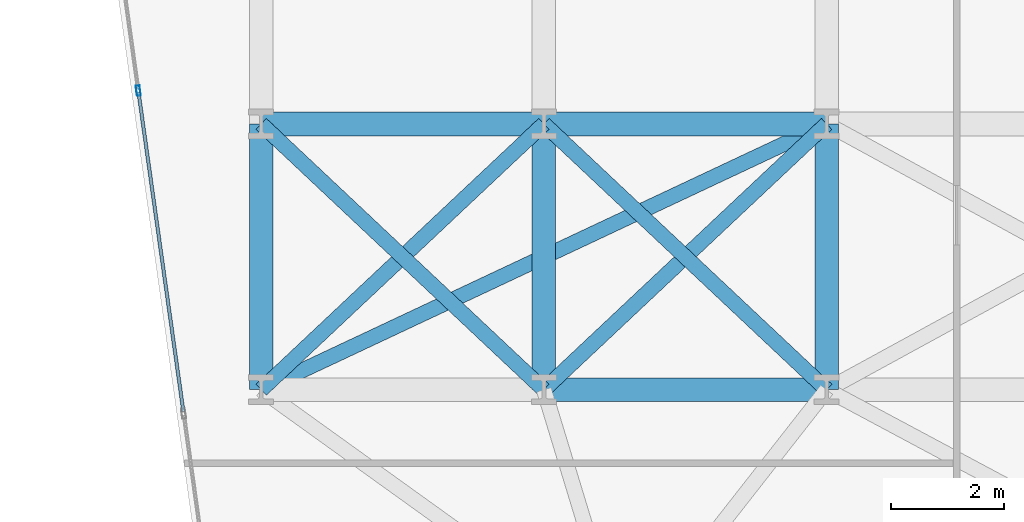
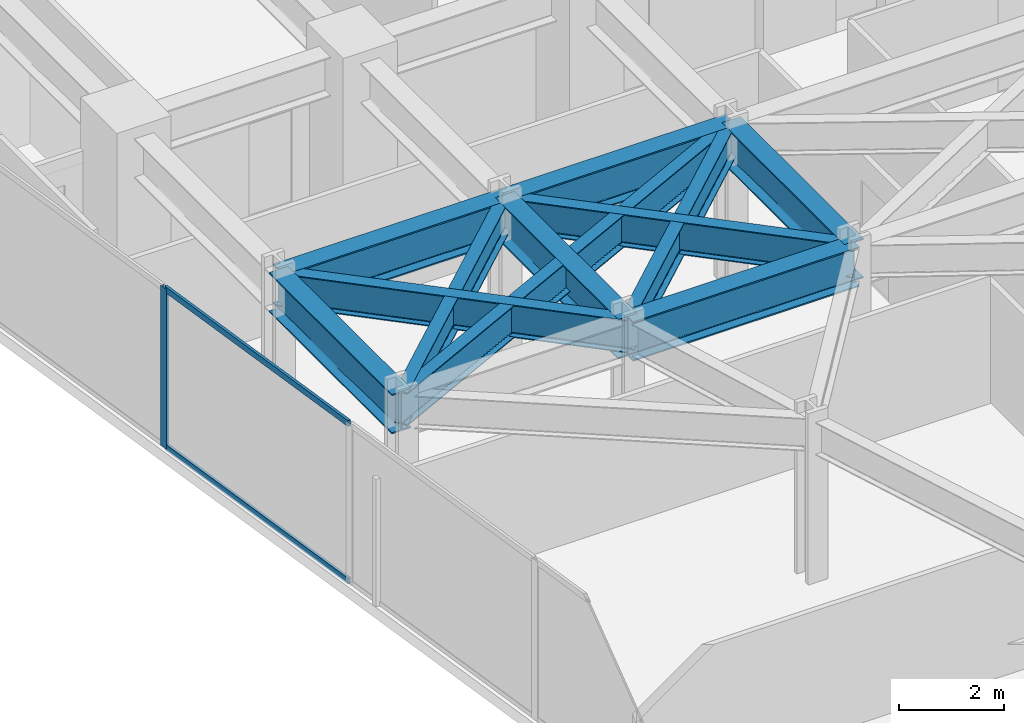
# One storey, part 8 of 24: 11 beams, 3 members, 1 element without a shape of its own.
"""IFC4 building model written with IfcOpenShell, lengths in metres."""

import ifcopenshell
import ifcopenshell.guid

model = None  # the IFC model being written
_history = None  # IfcOwnerHistory: only IFC2X3 demands one
_inside = {}  # id of a spatial element -> (the spatial element, [elements in it])
_under = {}  # id of a project, library or spatial element -> (it, [spatial elements below it])
_declared = {}  # id of a project -> (the project, [libraries it declares])
_typed = {}  # id of a type object -> (the type object, [elements of that type])
_made_of = {}  # id of a material, layer set ... -> (it, [elements and type objects made of it])


def new_model(schema):
    """Start an empty IFC model of exactly this schema.

    Asked for "IFC4X3", IfcOpenShell would pick the latest addendum, in which some entities
    have other attributes; the version numbers below select the first issue.
    IFC2X3 requires an IfcOwnerHistory on every rooted entity: one is made here for all.
    """
    global model, _history
    if schema == "IFC4X3":
        model = ifcopenshell.file(schema_version=(4, 3, 0, 0))
    else:
        model = ifcopenshell.file(schema=schema)
    _inside.clear()
    _under.clear()
    _declared.clear()
    _typed.clear()
    _made_of.clear()
    _history = None
    if model.schema == "IFC2X3":
        org = make("IfcOrganization", Name="unknown")
        user = make(
            "IfcPersonAndOrganization",
            ThePerson=make("IfcPerson", FamilyName="unknown"),
            TheOrganization=org,
        )
        app = make(
            "IfcApplication",
            ApplicationDeveloper=org,
            Version="unknown",
            ApplicationFullName="unknown",
            ApplicationIdentifier="unknown",
        )
        _history = make(
            "IfcOwnerHistory",
            OwningUser=user,
            OwningApplication=app,
            ChangeAction="ADDED",
            CreationDate=0,
        )
    return model


def make(cls, **values):
    """One entity of the class cls with the attributes given. An attribute that is None is left unset."""
    return model.create_entity(
        cls, **{name: value for name, value in values.items() if value is not None}
    )


def rooted(cls, **values):
    """An entity with a GlobalId (a new one), such as an element, a storey or a relation."""
    return make(cls, GlobalId=ifcopenshell.guid.new(), OwnerHistory=_history, **values)


def si_unit(unit_type, name, prefix=None):
    """IfcSIUnit, for example si_unit("LENGTHUNIT", "METRE", prefix="MILLI")."""
    return make("IfcSIUnit", UnitType=unit_type, Prefix=prefix, Name=name)


def assignment(units):
    """IfcUnitAssignment: the units of a project."""
    return None if units is None else make("IfcUnitAssignment", Units=units)


def point(xyz):
    """IfcCartesianPoint."""
    return None if xyz is None else make("IfcCartesianPoint", Coordinates=xyz)


def direction(xyz):
    """IfcDirection."""
    return None if xyz is None else make("IfcDirection", DirectionRatios=xyz)


def frame(location, z_axis=None, x_axis=None):
    """IfcAxis2Placement3D, a coordinate frame: its origin and axes. An axis left out is left unset."""
    return make(
        "IfcAxis2Placement3D",
        Location=point(location),
        Axis=direction(z_axis),
        RefDirection=direction(x_axis),
    )


def frame_2d(location, x_axis=None):
    """IfcAxis2Placement2D, a coordinate frame in the plane: its origin and x axis."""
    return make(
        "IfcAxis2Placement2D", Location=point(location), RefDirection=direction(x_axis)
    )


def origin():
    """The frame at (0, 0, 0) with its axes left unset."""
    return frame((0.0, 0.0, 0.0))


def origin_2d():
    """The frame at (0, 0) in the plane with its x axis left unset."""
    return frame_2d((0.0, 0.0))


def place(relative_to, where):
    """IfcLocalPlacement: puts the frame where relative to a parent placement (None: the world)."""
    return make(
        "IfcLocalPlacement", PlacementRelTo=relative_to, RelativePlacement=where
    )


def context(
    kind, dimensions, precision=None, world=None, true_north=None, identifier=None
):
    """IfcGeometricRepresentationContext, for example the 3D "Model" context."""
    return make(
        "IfcGeometricRepresentationContext",
        ContextIdentifier=identifier,
        ContextType=kind,
        CoordinateSpaceDimension=dimensions,
        Precision=precision,
        WorldCoordinateSystem=world,
        TrueNorth=true_north,
    )


def subcontext(parent, identifier, kind, view, scale=None):
    """IfcGeometricRepresentationSubContext, for example "Body" below "Model"."""
    return make(
        "IfcGeometricRepresentationSubContext",
        ContextIdentifier=identifier,
        ContextType=kind,
        ParentContext=parent,
        TargetScale=scale,
        TargetView=view,
    )


def project(units=None, contexts=None):
    """IfcProject with its units and contexts."""
    return rooted(
        "IfcProject",
        Name="project",
        RepresentationContexts=contexts,
        UnitsInContext=assignment(units),
    )


def spatial(cls, under=None, at=None, **own):
    """A site, building, storey or space (cls), placed at a placement, below another one or the project."""
    s = rooted(cls, ObjectPlacement=at, **own)
    if under is not None:
        _under.setdefault(under.id(), (under, []))[1].append(s)
    return s


def profile(cls, at=None, kind="AREA", **sizes):
    """A parametric profile (cls). Its sizes go by their IFC names, for example OverallWidth=200.0."""
    return make(cls, ProfileType=kind, Position=at, **sizes)


def hollow_rectangle(**sizes):
    """IfcRectangleHollowProfileDef."""
    return profile("IfcRectangleHollowProfileDef", **sizes)


def i_section(**sizes):
    """IfcIShapeProfileDef."""
    return profile("IfcIShapeProfileDef", **sizes)


def extrude(swept, where, along, depth):
    """IfcExtrudedAreaSolid: the profile swept, set in the frame where, extruded along a direction by depth."""
    return make(
        "IfcExtrudedAreaSolid",
        SweptArea=swept,
        Position=where,
        ExtrudedDirection=direction(along),
        Depth=depth,
    )


def shape(context_of_items, identifier, shape_type, items):
    """IfcShapeRepresentation: the items that make up one representation, for example the "Body"."""
    return make(
        "IfcShapeRepresentation",
        ContextOfItems=context_of_items,
        RepresentationIdentifier=identifier,
        RepresentationType=shape_type,
        Items=items,
    )


def material(Name=None, Category=None):
    """IfcMaterial."""
    return make("IfcMaterial", Name=Name, Category=Category)


def layer(
    of_material, thickness, ventilated=None, Name=None, Category=None, Priority=None
):
    """IfcMaterialLayer: one layer of a wall or slab, of a material (None: an air gap)."""
    return make(
        "IfcMaterialLayer",
        Material=of_material,
        LayerThickness=thickness,
        IsVentilated=ventilated,
        Name=Name,
        Category=Category,
        Priority=Priority,
    )


def layer_set(layers, Name=None):
    """IfcMaterialLayerSet."""
    return make("IfcMaterialLayerSet", MaterialLayers=layers, LayerSetName=Name)


def material_profile(
    of_material, cross_section, Name=None, Category=None, Priority=None
):
    """IfcMaterialProfile: a cross section and its material."""
    return make(
        "IfcMaterialProfile",
        Name=Name,
        Material=of_material,
        Profile=cross_section,
        Priority=Priority,
        Category=Category,
    )


def profile_set(profiles, Name=None, composite=None):
    """IfcMaterialProfileSet."""
    return make(
        "IfcMaterialProfileSet",
        Name=Name,
        MaterialProfiles=profiles,
        CompositeProfile=composite,
    )


def made_of(thing, what):
    """Note that an element or type object is made of a material, layer set ...; save() writes the relation."""
    if what is not None:
        _made_of.setdefault(what.id(), (what, []))[1].append(thing)
    return thing


def type_object(cls, material=None, **own):
    """A type object (cls), such as IfcWallType, which elements share."""
    return made_of(rooted(cls, **own), material)


def element(
    cls,
    number,
    at=None,
    inside=None,
    cuts=None,
    type_object=None,
    material=None,
    context=None,
    identifier="Body",
    shape_type=None,
    held_by="IfcProductDefinitionShape",
    body=None,
    shapes=None,
    **own,
):
    """One element of the class cls, such as IfcWall. Its Tag is "e" and its number.

    at: its placement. inside: the storey or other place that contains it. cuts: it is an
    opening in that element (IfcRelVoidsElement). A single representation is given by context,
    identifier, shape_type and body (its items); several are given by shapes. held_by: the class
    of the entity that holds the representations. save() writes the other relations.
    """
    e = rooted(cls, Tag="e%d" % number, ObjectPlacement=at, **own)
    if body is not None:
        shapes = [shape(context, identifier, shape_type, body)]
    if shapes is not None:
        e.Representation = make(held_by, Representations=shapes)
    if inside is not None:
        _inside.setdefault(inside.id(), (inside, []))[1].append(e)
    if cuts is not None:
        rooted(
            "IfcRelVoidsElement", RelatingBuildingElement=cuts, RelatedOpeningElement=e
        )
    if type_object is not None:
        _typed.setdefault(type_object.id(), (type_object, []))[1].append(e)
    return made_of(e, material)


def aggregate(whole, parts):
    """IfcRelAggregates: a whole, such as a stair, and the parts it consists of."""
    return rooted("IfcRelAggregates", RelatingObject=whole, RelatedObjects=parts)


def save(model, path):
    """Write the relations noted so far, then the file.

    IfcRelAggregates (storeys below a building ...), IfcRelContainedInSpatialStructure (elements
    in a storey), IfcRelDefinesByType, IfcRelAssociatesMaterial and IfcRelDeclares: one each for
    every whole, place, type object, material and project.
    """
    for whole, parts in _under.values():
        aggregate(whole, parts)
    for where, things in _inside.values():
        rooted(
            "IfcRelContainedInSpatialStructure",
            RelatedElements=things,
            RelatingStructure=where,
        )
    for kind, things in _typed.values():
        rooted("IfcRelDefinesByType", RelatedObjects=things, RelatingType=kind)
    for what, things in _made_of.values():
        rooted("IfcRelAssociatesMaterial", RelatedObjects=things, RelatingMaterial=what)
    for by, libraries in _declared.values():
        rooted("IfcRelDeclares", RelatingContext=by, RelatedDefinitions=libraries)
    model.write(path)


model = new_model("IFC4")

# Units and contexts
model_context = context("Model", 3, precision=1e-05, world=origin(), true_north=direction((0.0, 1.0)))
body_context = subcontext(model_context, "Body", "Model", "MODEL_VIEW")
ifc_project = project(units=[si_unit("LENGTHUNIT", "METRE"), si_unit("AREAUNIT", "SQUARE_METRE"), si_unit("VOLUMEUNIT", "CUBIC_METRE"), si_unit("PLANEANGLEUNIT", "RADIAN"), si_unit("MASSUNIT", "GRAM", prefix="KILO")], contexts=[model_context])

# Site, building, storey
site_placement = place(None, origin())
site = spatial("IfcSite", under=ifc_project, at=site_placement, CompositionType="ELEMENT")
building_placement = place(site_placement, origin())
building = spatial("IfcBuilding", under=site, at=building_placement, Name="Kravanh Interchange Tower", CompositionType="ELEMENT")
storey_placement = place(building_placement, frame((0.0, 0.0, 53.5)))
storey = spatial("IfcBuildingStorey", under=building, at=storey_placement, Name="L12", CompositionType="ELEMENT", Elevation=53.5)

# Curtain wall, members
ifc_material_1 = material(Name="Anodised Bronze Aluminium", Category="aluminium")
ifc_layer = layer(ifc_material_1, 0.179931640625)
ifc_layer_set = layer_set([ifc_layer], Name="Unitised Curtain Wall System CW-Z1 Lower Office")
curtain_wall_type = type_object("IfcCurtainWallType", Name="Unitised Curtain Wall System CW-Z1 Lower Office", PredefinedType="NOTDEFINED", material=ifc_layer_set)
curtain_wall_placement = place(storey_placement, origin())
curtain_wall = element("IfcCurtainWall", 1, at=curtain_wall_placement, inside=storey, type_object=curtain_wall_type, Name="L12 Unitised Curtain Wall CW-L12-01", PredefinedType="NOTDEFINED")
ifc_material_2 = material(Name="Anodised Bronze Aluminium", Category="aluminium")
ifc_material_profile_1 = material_profile(ifc_material_2, hollow_rectangle(XDim=0.070068359375, YDim=0.179931640625, WallThickness=0.00390625, at=origin_2d()), Name="ALU70X180X4")
ifc_profile_set_1 = profile_set([ifc_material_profile_1], Name="Anodised Bronze Aluminium")
member_type_1 = type_object("IfcMemberType", Name="Curtain Wall Mullion ALU70X180X4 Bronze", PredefinedType="MULLION", material=ifc_profile_set_1)
member_1_placement = place(storey_placement, frame((6.427490234375, 32.08935546875, 0.0), z_axis=(0.0, 0.0, 1.0), x_axis=(-0.990267585682, -0.139176538065, 0.0)))
member_1 = element("IfcMember", 2, at=member_1_placement, type_object=member_type_1, Name="CW-Z1 mullion 6", PredefinedType="MULLION", context=body_context, shape_type="SweptSolid", body=[
    extrude(hollow_rectangle(XDim=0.070068359375, YDim=0.179931640625, WallThickness=0.00390625, at=origin_2d()), origin(), (0.0, 0.0, 1.0), 3.739990234375),
])
ifc_material_3 = material(Name="Anodised Bronze Aluminium", Category="aluminium")
ifc_material_profile_2 = material_profile(ifc_material_3, hollow_rectangle(XDim=0.06005859375, YDim=0.139892578125, WallThickness=0.00390625, at=origin_2d()), Name="ALU60X140X4")
ifc_profile_set_2 = profile_set([ifc_material_profile_2], Name="Anodised Bronze Aluminium")
member_type_2 = type_object("IfcMemberType", Name="Curtain Wall Transom ALU60X140X4 Bronze", PredefinedType="USERDEFINED", material=ifc_profile_set_2)
member_2_placement = place(storey_placement, frame((7.22509765625, 26.41357421875, 0.030029296875), z_axis=(-0.139158957544, 0.990270056366, 0.0), x_axis=(-0.990270056366, -0.139158957544, 0.0)))
member_2 = element("IfcMember", 3, at=member_2_placement, type_object=member_type_2, Name="CW-Z1 transom 5.1", ObjectType="TRANSOM", PredefinedType="USERDEFINED", context=body_context, shape_type="SweptSolid", body=[
    extrude(hollow_rectangle(XDim=0.06005859375, YDim=0.139892578125, WallThickness=0.00390625, at=origin_2d()), origin(), (0.0, 0.0, 1.0), 5.696533203125),
])
member_3_placement = place(storey_placement, frame((7.22509765625, 26.41357421875, 3.7099609375), z_axis=(-0.139158957544, 0.990270056366, 0.0), x_axis=(-0.990270056366, -0.139158957544, 0.0)))
member_3 = element("IfcMember", 4, at=member_3_placement, type_object=member_type_2, Name="CW-Z1 transom 5.2", ObjectType="TRANSOM", PredefinedType="USERDEFINED", context=body_context, shape_type="SweptSolid", body=[
    extrude(hollow_rectangle(XDim=0.06005859375, YDim=0.139892578125, WallThickness=0.00390625, at=origin_2d()), origin(), (0.0, 0.0, 1.0), 5.696533203125),
])
aggregate(curtain_wall, [member_1, member_2, member_3])

# Beams
ifc_material_4 = material(Name="Structural Steel S355", Category="steel")
ifc_material_profile_3 = material_profile(ifc_material_4, i_section(OverallWidth=0.41796875, OverallDepth=0.927001953125, WebThickness=0.019287109375, FlangeThickness=0.031982421875, FilletRadius=0.028076171875, at=origin_2d()), Name="W36X231")
ifc_profile_set_3 = profile_set([ifc_material_profile_3], Name="Structural Steel S355")
beam_type_1 = type_object("IfcBeamType", Name="Floor Beam W36X231 Structural Steel S355", PredefinedType="BEAM", material=ifc_profile_set_3)
for number, where, z_axis, x_axis, name in (
    (5, (8.60009765625, 26.800048828125, 3.276611328125), (0.0, 1.0, 0.0), (-1.0, 0.0, 0.0), "L12 Primary Floor Girder 66"),
    (6, (13.60009765625, 26.800048828125, 3.276611328125), (0.0, 1.0, 0.0), (-1.0, 0.0, 0.0), "L12 Primary Floor Girder 70"),
):
    element("IfcBeam", number, at=place(storey_placement, frame(where, z_axis=z_axis, x_axis=x_axis)), inside=storey, type_object=beam_type_1, Name=name, PredefinedType="BEAM", context=body_context, shape_type="SweptSolid", body=[
        extrude(i_section(OverallWidth=0.41796875, OverallDepth=0.927001953125, WebThickness=0.019287109375, FlangeThickness=0.031982421875, FilletRadius=0.028076171875, at=origin_2d()), origin(), (0.0, 0.0, 1.0), 4.699951171875),
    ])
beam_1_placement = place(storey_placement, frame((13.60009765625, 26.800048828125, 3.276611328125), z_axis=(1.0, 0.0, 0.0), x_axis=(0.0, 1.0, 0.0)))
element("IfcBeam", 7, at=beam_1_placement, inside=storey, type_object=beam_type_1, Name="L12 Primary Floor Girder 71", PredefinedType="BEAM", context=body_context, shape_type="SweptSolid", body=[
    extrude(i_section(OverallWidth=0.41796875, OverallDepth=0.927001953125, WebThickness=0.019287109375, FlangeThickness=0.031982421875, FilletRadius=0.028076171875, at=origin_2d()), origin(), (0.0, 0.0, 1.0), 5.0),
])
beam_2_placement = place(storey_placement, frame((18.60009765625, 26.800048828125, 3.276611328125), z_axis=(0.0, 1.0, 0.0), x_axis=(-1.0, 0.0, 0.0)))
element("IfcBeam", 8, at=beam_2_placement, inside=storey, type_object=beam_type_1, Name="L12 Primary Floor Girder 74", PredefinedType="BEAM", context=body_context, shape_type="SweptSolid", body=[
    extrude(i_section(OverallWidth=0.41796875, OverallDepth=0.927001953125, WebThickness=0.019287109375, FlangeThickness=0.031982421875, FilletRadius=0.028076171875, at=origin_2d()), origin(), (0.0, 0.0, 1.0), 4.699951171875),
])
for number, where, z_axis, x_axis, name in (
    (9, (8.60009765625, 31.5, 3.276611328125), (1.0, 0.0, 0.0), (0.0, 1.0, 0.0), "L12 Primary Floor Girder 100"),
    (10, (13.60009765625, 31.5, 3.276611328125), (1.0, 0.0, 0.0), (0.0, 1.0, 0.0), "L12 Primary Floor Girder 101"),
):
    element("IfcBeam", number, at=place(storey_placement, frame(where, z_axis=z_axis, x_axis=x_axis)), inside=storey, type_object=beam_type_1, Name=name, PredefinedType="BEAM", context=body_context, shape_type="SweptSolid", body=[
        extrude(i_section(OverallWidth=0.41796875, OverallDepth=0.927001953125, WebThickness=0.019287109375, FlangeThickness=0.031982421875, FilletRadius=0.028076171875, at=origin_2d()), origin(), (0.0, 0.0, 1.0), 5.0),
    ])
ifc_material_5 = material(Name="Structural Steel S355", Category="steel")
ifc_material_profile_4 = material_profile(ifc_material_5, i_section(OverallWidth=0.26708984375, OverallDepth=0.761962890625, WebThickness=0.014404296875, FlangeThickness=0.021484375, FilletRadius=0.02490234375, at=origin_2d()), Name="W30X116")
ifc_profile_set_4 = profile_set([ifc_material_profile_4], Name="Structural Steel S355")
beam_type_2 = type_object("IfcBeamType", Name="Floor Spandrel W30X116 Structural Steel S355", PredefinedType="SPANDREL", material=ifc_profile_set_4)
beam_3_placement = place(storey_placement, frame((8.60009765625, 26.800048828125, 3.35888671875), z_axis=(0.728631219862, 0.684906231131, 0.0), x_axis=(-0.684906231131, 0.728631219862, 0.0)))
element("IfcBeam", 11, at=beam_3_placement, inside=storey, type_object=beam_type_2, Name="L12 Perimeter Spandrel 68", PredefinedType="SPANDREL", context=body_context, shape_type="SweptSolid", body=[
    extrude(i_section(OverallWidth=0.26708984375, OverallDepth=0.761962890625, WebThickness=0.014404296875, FlangeThickness=0.021484375, FilletRadius=0.02490234375, at=origin_2d()), origin(), (0.0, 0.0, 1.0), 6.862060546875),
])
beam_4_placement = place(storey_placement, frame((8.60009765625, 26.800048828125, 3.35888671875), z_axis=(0.905025402916, 0.425357520301, 0.0), x_axis=(-0.425357520301, 0.905025402916, 0.0)))
element("IfcBeam", 12, at=beam_4_placement, inside=storey, type_object=beam_type_2, Name="L12 Perimeter Spandrel 69", PredefinedType="SPANDREL", context=body_context, shape_type="SweptSolid", body=[
    extrude(i_section(OverallWidth=0.26708984375, OverallDepth=0.761962890625, WebThickness=0.014404296875, FlangeThickness=0.021484375, FilletRadius=0.02490234375, at=origin_2d()), origin(), (0.0, 0.0, 1.0), 11.04931640625),
])
for number, where, z_axis, x_axis, name in (
    (13, (13.60009765625, 26.800048828125, 3.35888671875), (-0.728631219862, 0.684906231131, 0.0), (-0.684906231131, -0.728631219862, 0.0), "L12 Perimeter Spandrel 72"),
    (14, (13.60009765625, 26.800048828125, 3.35888671875), (0.728631219862, 0.684906231131, 0.0), (-0.684906231131, 0.728631219862, 0.0), "L12 Perimeter Spandrel 73"),
    (15, (18.60009765625, 26.800048828125, 3.35888671875), (-0.728631219862, 0.684906231131, 0.0), (-0.684906231131, -0.728631219862, 0.0), "L12 Perimeter Spandrel 75"),
):
    element("IfcBeam", number, at=place(storey_placement, frame(where, z_axis=z_axis, x_axis=x_axis)), inside=storey, type_object=beam_type_2, Name=name, PredefinedType="SPANDREL", context=body_context, shape_type="SweptSolid", body=[
        extrude(i_section(OverallWidth=0.26708984375, OverallDepth=0.761962890625, WebThickness=0.014404296875, FlangeThickness=0.021484375, FilletRadius=0.02490234375, at=origin_2d()), origin(), (0.0, 0.0, 1.0), 6.862060546875),
    ])

save(model, "model.ifc")
